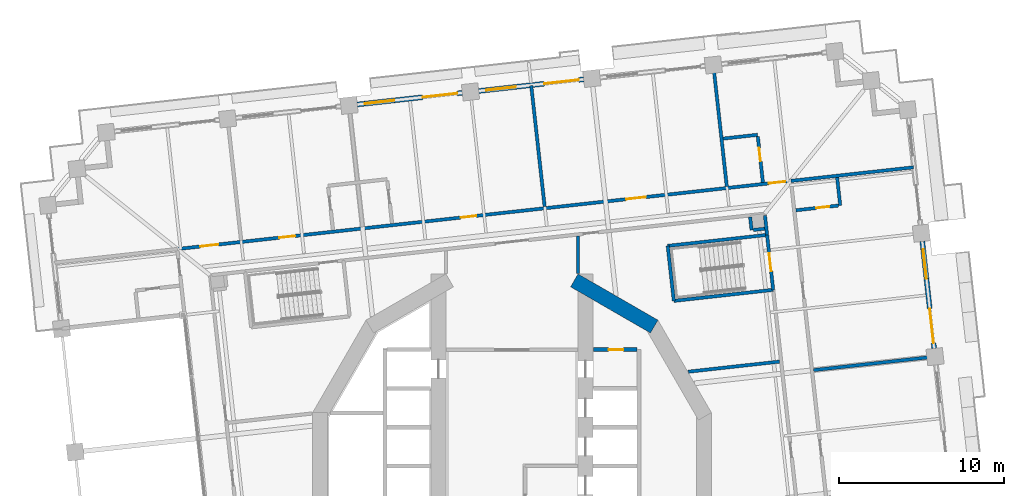
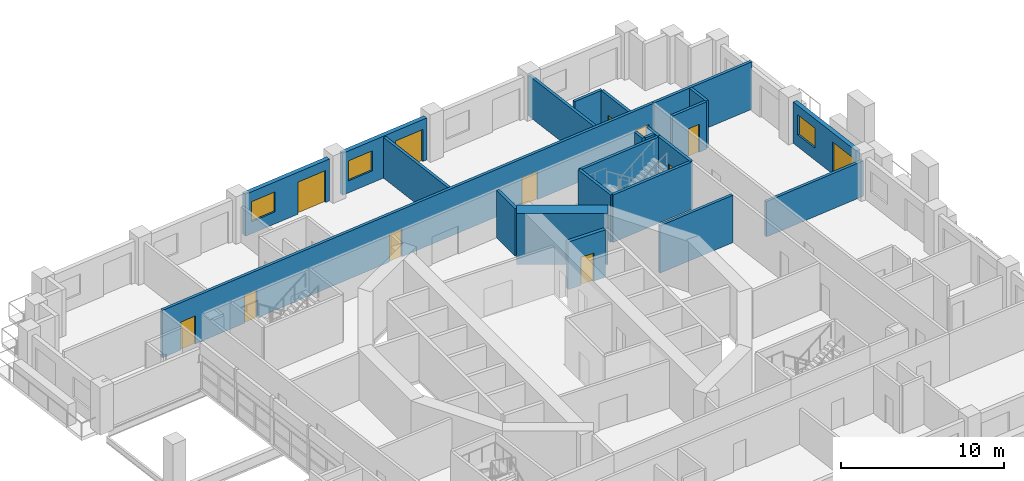
# One storey, part 12 of 21: 23 walls, 12 doors, 3 windows, 15 openings.
"""IFC4 building model written with IfcOpenShell, lengths in metres."""

from ifc_helpers import new_model, si_unit, direction, frame, frame_2d, origin, place, context, subcontext, project, spatial, rectangle, extrude, material, layer, layer_set, type_object, element, fill, save


model = new_model("IFC4")

# Units and contexts
model_context = context("Model", 3, precision=1e-05, world=origin(), true_north=direction((0.0, 1.0)))
body_context = subcontext(model_context, "Body", "Model", "MODEL_VIEW")
ifc_project = project(units=[si_unit("LENGTHUNIT", "METRE"), si_unit("AREAUNIT", "SQUARE_METRE"), si_unit("VOLUMEUNIT", "CUBIC_METRE"), si_unit("PLANEANGLEUNIT", "RADIAN"), si_unit("MASSUNIT", "GRAM", prefix="KILO")], contexts=[model_context])

# Site, building, storey
site_placement = place(None, origin())
site = spatial("IfcSite", under=ifc_project, at=site_placement, CompositionType="ELEMENT")
building_placement = place(site_placement, origin())
building = spatial("IfcBuilding", under=site, at=building_placement, Name="Cantera Rosa Tower", CompositionType="ELEMENT")
storey_placement = place(building_placement, frame((0.0, 0.0, 72.89990234375)))
storey = spatial("IfcBuildingStorey", under=building, at=storey_placement, Name="L15", CompositionType="ELEMENT", Elevation=72.89990234375)

# Walls
ifc_material_1 = material(Name="Gypsum board partition")
ifc_layer_1 = layer(ifc_material_1, 0.199951171875)
ifc_layer_set_1 = layer_set([ifc_layer_1], Name="CORRIDOR WALL 200 H3550")
wall_type_1 = type_object("IfcWallType", Name="CORRIDOR WALL 200 H3550", PredefinedType="PARTITIONING", material=ifc_layer_set_1)
wall_1_placement = place(storey_placement, frame((4.0, 11.667236328125, 0.0), z_axis=(0.0, 0.0, 1.0), x_axis=(0.0, 1.0, 0.0)))
element("IfcWall", 1, at=wall_1_placement, inside=storey, type_object=wall_type_1, Name="CORRIDOR WALL L15-064", PredefinedType="PARTITIONING", context=body_context, shape_type="SweptSolid", body=[
    extrude(rectangle(XDim=2.259765625, YDim=0.199951171875, at=frame_2d((1.1298828125, 0.0))), origin(), (0.0, 0.0, 1.0), 3.550048828125),
])
wall_2_placement = place(storey_placement, frame((15.44970703125, 14.001708984375, 0.0), z_axis=(0.0, 0.0, 1.0), x_axis=(-0.110341316069, 0.993893753863, 0.0)))
element("IfcWall", 2, at=wall_2_placement, inside=storey, type_object=wall_type_1, Name="CORRIDOR WALL L15-091", PredefinedType="PARTITIONING", context=body_context, shape_type="SweptSolid", body=[
    extrude(rectangle(XDim=1.188232421875, YDim=0.199951171875, at=frame_2d((0.59423828125, 0.0))), origin(), (0.0, 0.0, 1.0), 3.550048828125),
])

# Wall, openings, doors
wall_3_placement = place(storey_placement, frame((16.898193359375, 17.26953125, 0.0), z_axis=(0.0, 0.0, 1.0), x_axis=(-0.993896862852, -0.11031330841, 0.0)))
wall_3 = element("IfcWall", 3, at=wall_3_placement, inside=storey, type_object=wall_type_1, Name="CORRIDOR WALL L15-095", PredefinedType="PARTITIONING", context=body_context, shape_type="SweptSolid", body=[
    extrude(rectangle(XDim=37.400146484375, YDim=0.199951171875, at=frame_2d((18.7001953125, 0.0))), origin(), (0.0, 0.0, 1.0), 3.550048828125),
])
opening_1_placement = place(wall_3_placement, frame((8.85009765625, 0.0, 0.0)))
opening_1 = element("IfcOpeningElement", 4, at=opening_1_placement, cuts=wall_3, Name="Opening L15-025", PredefinedType="OPENING", context=body_context, shape_type="SweptSolid", body=[
    extrude(rectangle(XDim=1.199951171875, YDim=2.10009765625, at=frame_2d((0.60009765625, 1.050048828125))), frame((0.0, 0.10986328125, 0.0), z_axis=(0.0, -1.0, 0.0), x_axis=(1.0, 0.0, 0.0)), (0.0, 0.0, 1.0), 0.219970703125),
])
opening_2_placement = place(wall_3_placement, frame((19.175048828125, 0.0, 0.0)))
opening_2 = element("IfcOpeningElement", 5, at=opening_2_placement, cuts=wall_3, Name="Opening L15-026", PredefinedType="OPENING", context=body_context, shape_type="SweptSolid", body=[
    extrude(rectangle(XDim=0.949951171875, YDim=2.10009765625, at=frame_2d((0.47509765625, 1.050048828125))), frame((0.0, 0.10986328125, 0.0), z_axis=(0.0, -1.0, 0.0), x_axis=(1.0, 0.0, 0.0)), (0.0, 0.0, 1.0), 0.219970703125),
])
opening_3_placement = place(wall_3_placement, frame((30.22509765625, 0.0, 0.0)))
opening_3 = element("IfcOpeningElement", 6, at=opening_3_placement, cuts=wall_3, Name="Opening L15-028", PredefinedType="OPENING", context=body_context, shape_type="SweptSolid", body=[
    extrude(rectangle(XDim=0.949951171875, YDim=2.10009765625, at=frame_2d((0.47509765625, 1.050048828125))), frame((0.0, 0.10986328125, 0.0), z_axis=(0.0, -1.0, 0.0), x_axis=(1.0, 0.0, 0.0)), (0.0, 0.0, 1.0), 0.219970703125),
])
opening_4_placement = place(wall_3_placement, frame((0.35009765625, 0.0, 0.0)))
opening_4 = element("IfcOpeningElement", 7, at=opening_4_placement, cuts=wall_3, Name="Opening L15-030", PredefinedType="OPENING", context=body_context, shape_type="SweptSolid", body=[
    extrude(rectangle(XDim=1.0, YDim=2.10009765625, at=frame_2d((0.5, 1.050048828125))), frame((0.0, 0.10986328125, 0.0), z_axis=(0.0, -1.0, 0.0), x_axis=(1.0, 0.0, 0.0)), (0.0, 0.0, 1.0), 0.219970703125),
])
opening_5_placement = place(wall_3_placement, frame((34.89990234375, 0.0, 0.0)))
opening_5 = element("IfcOpeningElement", 8, at=opening_5_placement, cuts=wall_3, Name="Opening L15-032", PredefinedType="OPENING", context=body_context, shape_type="SweptSolid", body=[
    extrude(rectangle(XDim=1.10009765625, YDim=2.10009765625, at=frame_2d((0.550048828125, 1.050048828125))), frame((0.0, 0.10986328125, 0.0), z_axis=(0.0, -1.0, 0.0), x_axis=(1.0, 0.0, 0.0)), (0.0, 0.0, 1.0), 0.219970703125),
])
ifc_material_2 = material(Name="Timber door leaf", Category="wood")
door_type_1 = type_object("IfcDoorType", Name="ENTRANCE DOOR 1000x2100", OperationType="NOTDEFINED", PredefinedType="DOOR", material=ifc_material_2)
door_1_placement = place(opening_4_placement, origin())
door_1 = element("IfcDoor", 9, at=door_1_placement, inside=storey, type_object=door_type_1, Name="DOOR L15-030", OperationType="NOTDEFINED", OverallHeight=2.10009765625, OverallWidth=1.0, PredefinedType="DOOR", context=body_context, shape_type="SweptSolid", body=[
    extrude(rectangle(XDim=1.0, YDim=2.10009765625, at=frame_2d((0.5, 1.050048828125))), frame((0.0, 0.02490234375, 0.0), z_axis=(0.0, -1.0, 0.0), x_axis=(1.0, 0.0, 0.0)), (0.0, 0.0, 1.0), 0.050048828125),
])
fill(opening_4, door_1)
ifc_material_3 = material(Name="Timber door leaf", Category="wood")
door_type_2 = type_object("IfcDoorType", Name="ROOM DOOR 1100x2100", OperationType="NOTDEFINED", PredefinedType="DOOR", material=ifc_material_3)
door_2_placement = place(opening_5_placement, origin())
door_2 = element("IfcDoor", 10, at=door_2_placement, inside=storey, type_object=door_type_2, Name="DOOR L15-032", OperationType="NOTDEFINED", OverallHeight=2.10009765625, OverallWidth=1.10009765625, PredefinedType="DOOR", context=body_context, shape_type="SweptSolid", body=[
    extrude(rectangle(XDim=1.10009765625, YDim=2.10009765625, at=frame_2d((0.550048828125, 1.050048828125))), frame((0.0, 0.02490234375, 0.0), z_axis=(0.0, -1.0, 0.0), x_axis=(1.0, 0.0, 0.0)), (0.0, 0.0, 1.0), 0.050048828125),
])
fill(opening_5, door_2)
ifc_material_4 = material(Name="Timber door leaf", Category="wood")
door_type_3 = type_object("IfcDoorType", Name="ROOM DOOR 1200x2100", OperationType="NOTDEFINED", PredefinedType="DOOR", material=ifc_material_4)
door_3_placement = place(opening_1_placement, origin())
door_3 = element("IfcDoor", 11, at=door_3_placement, inside=storey, type_object=door_type_3, Name="DOOR L15-025", OperationType="NOTDEFINED", OverallHeight=2.10009765625, OverallWidth=1.199951171875, PredefinedType="DOOR", context=body_context, shape_type="SweptSolid", body=[
    extrude(rectangle(XDim=1.199951171875, YDim=2.10009765625, at=frame_2d((0.60009765625, 1.050048828125))), frame((0.0, 0.02490234375, 0.0), z_axis=(0.0, -1.0, 0.0), x_axis=(1.0, 0.0, 0.0)), (0.0, 0.0, 1.0), 0.050048828125),
])
fill(opening_1, door_3)
ifc_material_5 = material(Name="Timber door leaf", Category="wood")
door_type_4 = type_object("IfcDoorType", Name="ROOM DOOR 950x2100", OperationType="NOTDEFINED", PredefinedType="DOOR", material=ifc_material_5)
door_4_placement = place(opening_2_placement, origin())
door_4 = element("IfcDoor", 12, at=door_4_placement, inside=storey, type_object=door_type_4, Name="DOOR L15-026", OperationType="NOTDEFINED", OverallHeight=2.10009765625, OverallWidth=0.949951171875, PredefinedType="DOOR", context=body_context, shape_type="SweptSolid", body=[
    extrude(rectangle(XDim=0.949951171875, YDim=2.10009765625, at=frame_2d((0.47509765625, 1.050048828125))), frame((0.0, 0.02490234375, 0.0), z_axis=(0.0, -1.0, 0.0), x_axis=(1.0, 0.0, 0.0)), (0.0, 0.0, 1.0), 0.050048828125),
])
fill(opening_2, door_4)
door_5_placement = place(opening_3_placement, origin())
door_5 = element("IfcDoor", 13, at=door_5_placement, inside=storey, type_object=door_type_4, Name="DOOR L15-028", OperationType="NOTDEFINED", OverallHeight=2.10009765625, OverallWidth=0.949951171875, PredefinedType="DOOR", context=body_context, shape_type="SweptSolid", body=[
    extrude(rectangle(XDim=0.949951171875, YDim=2.10009765625, at=frame_2d((0.47509765625, 1.050048828125))), frame((0.0, 0.02490234375, 0.0), z_axis=(0.0, -1.0, 0.0), x_axis=(1.0, 0.0, 0.0)), (0.0, 0.0, 1.0), 0.050048828125),
])
fill(opening_3, door_5)

# Wall, openings, window, door
ifc_material_6 = material(Name="Hollow clay masonry with cantera stone cladding", Category="masonry")
ifc_layer_2 = layer(ifc_material_6, 0.300048828125)
ifc_layer_set_2 = layer_set([ifc_layer_2], Name="EW-LOGGIA 300 H3090")
wall_type_2 = type_object("IfcWallType", Name="EW-LOGGIA 300 H3090", PredefinedType="SOLIDWALL", material=ifc_layer_set_2)
wall_4_placement = place(storey_placement, frame((25.570068359375, 7.124267578125, 0.0), z_axis=(0.0, 0.0, 1.0), x_axis=(-0.110312341265, 0.993896970196, 0.0)))
wall_4 = element("IfcWall", 14, at=wall_4_placement, inside=storey, type_object=wall_type_2, Name="EN-L15-W04", PredefinedType="SOLIDWALL", context=body_context, shape_type="SweptSolid", body=[
    extrude(rectangle(XDim=6.52001953125, YDim=0.300048828125, at=frame_2d((3.260009765625, 0.0))), origin(), (0.0, 0.0, 1.0), 3.090087890625),
])
opening_6_placement = place(wall_4_placement, frame((0.330078125, 0.0, 0.0)))
opening_6 = element("IfcOpeningElement", 15, at=opening_6_placement, cuts=wall_4, Name="Opening L15-TD07", PredefinedType="OPENING", context=body_context, shape_type="SweptSolid", body=[
    extrude(rectangle(XDim=2.10009765625, YDim=2.39990234375, at=frame_2d((1.050048828125, 1.199951171875))), frame((0.0, 0.159912109375, 0.0), z_axis=(0.0, -1.0, 0.0), x_axis=(1.0, 0.0, 0.0)), (0.0, 0.0, 1.0), 0.320068359375),
])
opening_7_placement = place(wall_4_placement, frame((4.239990234375, 0.0, 0.89990234375)))
opening_7 = element("IfcOpeningElement", 16, at=opening_7_placement, cuts=wall_4, Name="Opening L15-W08", PredefinedType="OPENING", context=body_context, shape_type="SweptSolid", body=[
    extrude(rectangle(XDim=1.800048828125, YDim=1.5, at=frame_2d((0.89990234375, 0.75))), frame((0.0, 0.159912109375, 0.0), z_axis=(0.0, -1.0, 0.0), x_axis=(1.0, 0.0, 0.0)), (0.0, 0.0, 1.0), 0.320068359375),
])
ifc_material_7 = material(Name="Aluminium frame with clear glass", Category="aluminium")
window_type = type_object("IfcWindowType", Name="Hotel room window 1800x1500", PartitioningType="DOUBLE_PANEL_VERTICAL", PredefinedType="WINDOW", material=ifc_material_7)
window_1_placement = place(opening_7_placement, origin())
window_1 = element("IfcWindow", 17, at=window_1_placement, inside=storey, type_object=window_type, Name="WINDOW L15-W08", OverallHeight=1.5, OverallWidth=1.800048828125, PartitioningType="SINGLE_PANEL", PredefinedType="WINDOW", context=body_context, shape_type="SweptSolid", body=[
    extrude(rectangle(XDim=1.800048828125, YDim=1.5, at=frame_2d((0.89990234375, 0.75))), frame((0.0, 0.030029296875, 0.0), z_axis=(0.0, -1.0, 0.0), x_axis=(1.0, 0.0, 0.0)), (0.0, 0.0, 1.0), 0.06005859375),
])
fill(opening_7, window_1)
ifc_material_8 = material(Name="Aluminium frame with clear glass", Category="aluminium")
door_type_5 = type_object("IfcDoorType", Name="TD-H 2100x2400", OperationType="NOTDEFINED", PredefinedType="DOOR", material=ifc_material_8)
door_6_placement = place(opening_6_placement, origin())
door_6 = element("IfcDoor", 18, at=door_6_placement, inside=storey, type_object=door_type_5, Name="LOGGIA DOOR L15-TD07", OperationType="SLIDING_TO_LEFT", OverallHeight=2.39990234375, OverallWidth=2.10009765625, PredefinedType="DOOR", context=body_context, shape_type="SweptSolid", body=[
    extrude(rectangle(XDim=2.10009765625, YDim=2.39990234375, at=frame_2d((1.050048828125, 1.199951171875))), frame((0.0, 0.02490234375, 0.0), z_axis=(0.0, -1.0, 0.0), x_axis=(1.0, 0.0, 0.0)), (0.0, 0.0, 1.0), 0.050048828125),
])
fill(opening_6, door_6)

ifc_material_9 = material(Name="Hollow clay masonry with cantera stone cladding", Category="masonry")
ifc_layer_3 = layer(ifc_material_9, 0.300048828125)
ifc_layer_set_3 = layer_set([ifc_layer_3], Name="EW-LOGGIA 300 H3140")
wall_type_3 = type_object("IfcWallType", Name="EW-LOGGIA 300 H3140", PredefinedType="SOLIDWALL", material=ifc_layer_set_3)
wall_5_placement = place(storey_placement, frame((4.3427734375, 23.422119140625, 0.0), z_axis=(0.0, 0.0, 1.0), x_axis=(-0.993895824271, -0.110322665379, 0.0)))
wall_5 = element("IfcWall", 19, at=wall_5_placement, inside=storey, type_object=wall_type_3, Name="EN-L15-W10", PredefinedType="SOLIDWALL", context=body_context, shape_type="SweptSolid", body=[
    extrude(rectangle(XDim=6.39990234375, YDim=0.300048828125, at=frame_2d((3.199951171875, 0.0))), origin(), (0.0, 0.0, 1.0), 3.14013671875),
])
opening_8_placement = place(wall_5_placement, frame((0.300048828125, 0.0, 0.0)))
opening_8 = element("IfcOpeningElement", 20, at=opening_8_placement, cuts=wall_5, Name="Opening L15-TD15", PredefinedType="OPENING", context=body_context, shape_type="SweptSolid", body=[
    extrude(rectangle(XDim=2.10009765625, YDim=2.39990234375, at=frame_2d((1.050048828125, 1.199951171875))), frame((0.0, 0.159912109375, 0.0), z_axis=(0.0, -1.0, 0.0), x_axis=(1.0, 0.0, 0.0)), (0.0, 0.0, 1.0), 0.320068359375),
])
opening_9_placement = place(wall_5_placement, frame((4.14990234375, 0.0, 0.89990234375)))
opening_9 = element("IfcOpeningElement", 21, at=opening_9_placement, cuts=wall_5, Name="Opening L15-W16", PredefinedType="OPENING", context=body_context, shape_type="SweptSolid", body=[
    extrude(rectangle(XDim=1.800048828125, YDim=1.5, at=frame_2d((0.89990234375, 0.75))), frame((0.0, 0.159912109375, 0.0), z_axis=(0.0, -1.0, 0.0), x_axis=(1.0, 0.0, 0.0)), (0.0, 0.0, 1.0), 0.320068359375),
])
window_2_placement = place(opening_9_placement, origin())
window_2 = element("IfcWindow", 22, at=window_2_placement, inside=storey, type_object=window_type, Name="WINDOW L15-W16", OverallHeight=1.5, OverallWidth=1.800048828125, PartitioningType="SINGLE_PANEL", PredefinedType="WINDOW", context=body_context, shape_type="SweptSolid", body=[
    extrude(rectangle(XDim=1.800048828125, YDim=1.5, at=frame_2d((0.89990234375, 0.75))), frame((0.0, 0.030029296875, 0.0), z_axis=(0.0, -1.0, 0.0), x_axis=(1.0, 0.0, 0.0)), (0.0, 0.0, 1.0), 0.06005859375),
])
fill(opening_9, window_2)
door_7_placement = place(opening_8_placement, origin())
door_7 = element("IfcDoor", 23, at=door_7_placement, inside=storey, type_object=door_type_5, Name="LOGGIA DOOR L15-TD15", OperationType="SLIDING_TO_LEFT", OverallHeight=2.39990234375, OverallWidth=2.10009765625, PredefinedType="DOOR", context=body_context, shape_type="SweptSolid", body=[
    extrude(rectangle(XDim=2.10009765625, YDim=2.39990234375, at=frame_2d((1.050048828125, 1.199951171875))), frame((0.0, 0.02490234375, 0.0), z_axis=(0.0, -1.0, 0.0), x_axis=(1.0, 0.0, 0.0)), (0.0, 0.0, 1.0), 0.050048828125),
])
fill(opening_8, door_7)

wall_6_placement = place(storey_placement, frame((-3.011962890625, 22.605712890625, 0.0), z_axis=(0.0, 0.0, 1.0), x_axis=(-0.993896288542, -0.110318482689, 0.0)))
wall_6 = element("IfcWall", 24, at=wall_6_placement, inside=storey, type_object=wall_type_3, Name="EN-L15-W11", PredefinedType="SOLIDWALL", context=body_context, shape_type="SweptSolid", body=[
    extrude(rectangle(XDim=6.400146484375, YDim=0.300048828125, at=frame_2d((3.2001953125, 0.0))), origin(), (0.0, 0.0, 1.0), 3.14013671875),
])
opening_10_placement = place(wall_6_placement, frame((0.300048828125, 0.0, 0.0)))
opening_10 = element("IfcOpeningElement", 25, at=opening_10_placement, cuts=wall_6, Name="Opening L15-TD17", PredefinedType="OPENING", context=body_context, shape_type="SweptSolid", body=[
    extrude(rectangle(XDim=2.10009765625, YDim=2.39990234375, at=frame_2d((1.050048828125, 1.199951171875))), frame((0.0, 0.159912109375, 0.0), z_axis=(0.0, -1.0, 0.0), x_axis=(1.0, 0.0, 0.0)), (0.0, 0.0, 1.0), 0.320068359375),
])
opening_11_placement = place(wall_6_placement, frame((4.14990234375, 0.0, 0.89990234375)))
opening_11 = element("IfcOpeningElement", 26, at=opening_11_placement, cuts=wall_6, Name="Opening L15-W18", PredefinedType="OPENING", context=body_context, shape_type="SweptSolid", body=[
    extrude(rectangle(XDim=1.800048828125, YDim=1.5, at=frame_2d((0.89990234375, 0.75))), frame((0.0, 0.159912109375, 0.0), z_axis=(0.0, -1.0, 0.0), x_axis=(1.0, 0.0, 0.0)), (0.0, 0.0, 1.0), 0.320068359375),
])
window_3_placement = place(opening_11_placement, origin())
window_3 = element("IfcWindow", 27, at=window_3_placement, inside=storey, type_object=window_type, Name="WINDOW L15-W18", OverallHeight=1.5, OverallWidth=1.800048828125, PartitioningType="SINGLE_PANEL", PredefinedType="WINDOW", context=body_context, shape_type="SweptSolid", body=[
    extrude(rectangle(XDim=1.800048828125, YDim=1.5, at=frame_2d((0.89990234375, 0.75))), frame((0.0, 0.030029296875, 0.0), z_axis=(0.0, -1.0, 0.0), x_axis=(1.0, 0.0, 0.0)), (0.0, 0.0, 1.0), 0.06005859375),
])
fill(opening_11, window_3)
door_8_placement = place(opening_10_placement, origin())
door_8 = element("IfcDoor", 28, at=door_8_placement, inside=storey, type_object=door_type_5, Name="LOGGIA DOOR L15-TD17", OperationType="SLIDING_TO_LEFT", OverallHeight=2.39990234375, OverallWidth=2.10009765625, PredefinedType="DOOR", context=body_context, shape_type="SweptSolid", body=[
    extrude(rectangle(XDim=2.10009765625, YDim=2.39990234375, at=frame_2d((1.050048828125, 1.199951171875))), frame((0.0, 0.02490234375, 0.0), z_axis=(0.0, -1.0, 0.0), x_axis=(1.0, 0.0, 0.0)), (0.0, 0.0, 1.0), 0.050048828125),
])
fill(opening_10, door_8)

# Walls
ifc_material_10 = material(Name="Gypsum board partition")
ifc_layer_4 = layer(ifc_material_10, 0.199951171875)
ifc_layer_set_4 = layer_set([ifc_layer_4], Name="PARTITION 200 H3550")
wall_type_4 = type_object("IfcWallType", Name="PARTITION 200 H3550", PredefinedType="PARTITIONING", material=ifc_layer_set_4)
wall_7_placement = place(storey_placement, frame((10.67822265625, 5.712890625, 0.0), z_axis=(0.0, 0.0, 1.0), x_axis=(0.993900868117, 0.110277215939, 0.0)))
element("IfcWall", 29, at=wall_7_placement, inside=storey, type_object=wall_type_4, Name="PARTITION L15-079", PredefinedType="PARTITIONING", context=body_context, shape_type="SweptSolid", body=[
    extrude(rectangle(XDim=5.556884765625, YDim=0.199951171875, at=frame_2d((2.7783203125, 0.0))), origin(), (0.0, 0.0, 1.0), 3.550048828125),
])
wall_8_placement = place(storey_placement, frame((12.790283203125, 19.83203125, 0.0), z_axis=(0.0, 0.0, 1.0), x_axis=(0.993895071737, 0.11032944474, 0.0)))
element("IfcWall", 30, at=wall_8_placement, inside=storey, type_object=wall_type_4, Name="PARTITION L15-081", PredefinedType="PARTITIONING", context=body_context, shape_type="SweptSolid", body=[
    extrude(rectangle(XDim=2.10009765625, YDim=0.199951171875, at=frame_2d((1.050048828125, 0.0))), origin(), (0.0, 0.0, 1.0), 3.550048828125),
])
wall_9_placement = place(storey_placement, frame((14.42431640625, 15.083251953125, 0.0), z_axis=(0.0, 0.0, 1.0), x_axis=(0.110163574714, -0.993913470482, 0.0)))
element("IfcWall", 31, at=wall_9_placement, inside=storey, type_object=wall_type_4, Name="PARTITION L15-082", PredefinedType="PARTITIONING", context=body_context, shape_type="SweptSolid", body=[
    extrude(rectangle(XDim=0.800048828125, YDim=0.199951171875, at=frame_2d((0.39990234375, 0.0))), origin(), (0.0, 0.0, 1.0), 3.550048828125),
])
wall_10_placement = place(storey_placement, frame((14.61181640625, 14.299072265625, 0.0), z_axis=(0.0, 0.0, 1.0), x_axis=(0.993870969748, 0.110546349969, 0.0)))
element("IfcWall", 32, at=wall_10_placement, inside=storey, type_object=wall_type_4, Name="PARTITION L15-083", PredefinedType="PARTITIONING", context=body_context, shape_type="SweptSolid", body=[
    extrude(rectangle(XDim=0.7001953125, YDim=0.199951171875, at=frame_2d((0.35009765625, 0.0))), origin(), (0.0, 0.0, 1.0), 3.550048828125),
])

# Wall, opening, door
wall_11_placement = place(storey_placement, frame((14.888671875, 19.964111328125, 0.0), z_axis=(0.0, 0.0, 1.0), x_axis=(0.110307106705, -0.993897551164, 0.0)))
wall_11 = element("IfcWall", 33, at=wall_11_placement, inside=storey, type_object=wall_type_4, Name="PARTITION L15-084", PredefinedType="PARTITIONING", context=body_context, shape_type="SweptSolid", body=[
    extrude(rectangle(XDim=2.7998046875, YDim=0.199951171875, at=frame_2d((1.39990234375, 0.0))), origin(), (0.0, 0.0, 1.0), 3.550048828125),
])
opening_12_placement = place(wall_11_placement, frame((0.699951171875, 0.0, 0.0)))
opening_12 = element("IfcOpeningElement", 34, at=opening_12_placement, cuts=wall_11, Name="Opening L15-031", PredefinedType="OPENING", context=body_context, shape_type="SweptSolid", body=[
    extrude(rectangle(XDim=0.800048828125, YDim=2.10009765625, at=frame_2d((0.39990234375, 1.050048828125))), frame((0.0, 0.10986328125, 0.0), z_axis=(0.0, -1.0, 0.0), x_axis=(1.0, 0.0, 0.0)), (0.0, 0.0, 1.0), 0.219970703125),
])
ifc_material_11 = material(Name="Timber door leaf", Category="wood")
door_type_6 = type_object("IfcDoorType", Name="BATHROOM DOOR 800x2100", OperationType="NOTDEFINED", PredefinedType="DOOR", material=ifc_material_11)
door_9_placement = place(opening_12_placement, origin())
door_9 = element("IfcDoor", 35, at=door_9_placement, inside=storey, type_object=door_type_6, Name="DOOR L15-031", OperationType="NOTDEFINED", OverallHeight=2.10009765625, OverallWidth=0.800048828125, PredefinedType="DOOR", context=body_context, shape_type="SweptSolid", body=[
    extrude(rectangle(XDim=0.800048828125, YDim=2.10009765625, at=frame_2d((0.39990234375, 1.050048828125))), frame((0.0, 0.02490234375, 0.0), z_axis=(0.0, -1.0, 0.0), x_axis=(1.0, 0.0, 0.0)), (0.0, 0.0, 1.0), 0.050048828125),
])
fill(opening_12, door_9)

# Wall
wall_12_placement = place(storey_placement, frame((19.69189453125, 17.47900390625, 0.0), z_axis=(0.0, 0.0, 1.0), x_axis=(0.110431526075, -0.993883734674, 0.0)))
element("IfcWall", 36, at=wall_12_placement, inside=storey, type_object=wall_type_4, Name="PARTITION L15-104", PredefinedType="PARTITIONING", context=body_context, shape_type="SweptSolid", body=[
    extrude(rectangle(XDim=1.7001953125, YDim=0.199951171875, at=frame_2d((0.85009765625, 0.0))), origin(), (0.0, 0.0, 1.0), 3.550048828125),
])

# Wall, opening, door
wall_13_placement = place(storey_placement, frame((19.7802734375, 15.7783203125, 0.0), z_axis=(0.0, 0.0, 1.0), x_axis=(-0.993895180132, -0.110328468272, 0.0)))
wall_13 = element("IfcWall", 37, at=wall_13_placement, inside=storey, type_object=wall_type_4, Name="PARTITION L15-105", PredefinedType="PARTITIONING", context=body_context, shape_type="SweptSolid", body=[
    extrude(rectangle(XDim=2.60009765625, YDim=0.199951171875, at=frame_2d((1.300048828125, 0.0))), origin(), (0.0, 0.0, 1.0), 3.550048828125),
])
opening_13_placement = place(wall_13_placement, frame((0.56396484375, 0.0, 0.0)))
opening_13 = element("IfcOpeningElement", 38, at=opening_13_placement, cuts=wall_13, Name="Opening L15-024", PredefinedType="OPENING", context=body_context, shape_type="SweptSolid", body=[
    extrude(rectangle(XDim=0.800048828125, YDim=2.10009765625, at=frame_2d((0.39990234375, 1.050048828125))), frame((0.0, 0.10986328125, 0.0), z_axis=(0.0, -1.0, 0.0), x_axis=(1.0, 0.0, 0.0)), (0.0, 0.0, 1.0), 0.219970703125),
])
door_10_placement = place(opening_13_placement, origin())
door_10 = element("IfcDoor", 39, at=door_10_placement, inside=storey, type_object=door_type_6, Name="DOOR L15-024", OperationType="NOTDEFINED", OverallHeight=2.10009765625, OverallWidth=0.800048828125, PredefinedType="DOOR", context=body_context, shape_type="SweptSolid", body=[
    extrude(rectangle(XDim=0.800048828125, YDim=2.10009765625, at=frame_2d((0.39990234375, 1.050048828125))), frame((0.0, 0.02490234375, 0.0), z_axis=(0.0, -1.0, 0.0), x_axis=(1.0, 0.0, 0.0)), (0.0, 0.0, 1.0), 0.050048828125),
])
fill(opening_13, door_10)

# Walls
ifc_material_12 = material(Name="Gypsum board partition")
ifc_layer_5 = layer(ifc_material_12, 0.199951171875)
ifc_layer_set_5 = layer_set([ifc_layer_5], Name="PARTY WALL 200 H2650")
wall_type_5 = type_object("IfcWallType", Name="PARTY WALL 200 H2650", PredefinedType="PARTITIONING", material=ifc_layer_set_5)
wall_14_placement = place(storey_placement, frame((18.2705078125, 5.810791015625, 0.0), z_axis=(0.0, 0.0, 1.0), x_axis=(0.993897058864, 0.11031154238, 0.0)))
element("IfcWall", 40, at=wall_14_placement, inside=storey, type_object=wall_type_5, Name="PARTY WALL L15-099", PredefinedType="PARTITIONING", context=body_context, shape_type="SweptSolid", body=[
    extrude(rectangle(XDim=7.369873046875, YDim=0.199951171875, at=frame_2d((3.68505859375, 0.0))), origin(), (0.0, 0.0, 1.0), 2.650146484375),
])
ifc_material_13 = material(Name="Gypsum board partition")
ifc_layer_6 = layer(ifc_material_13, 0.199951171875)
ifc_layer_set_6 = layer_set([ifc_layer_6], Name="PARTY WALL 200 H3050")
wall_type_6 = type_object("IfcWallType", Name="PARTY WALL 200 H3050", PredefinedType="PARTITIONING", material=ifc_layer_set_6)
wall_15_placement = place(storey_placement, frame((1.978515625, 15.714111328125, 0.0), z_axis=(0.0, 0.0, 1.0), x_axis=(-0.110307910555, 0.993897461949, 0.0)))
element("IfcWall", 41, at=wall_15_placement, inside=storey, type_object=wall_type_6, Name="PARTY WALL L15-060", PredefinedType="PARTITIONING", context=body_context, shape_type="SweptSolid", body=[
    extrude(rectangle(XDim=7.3701171875, YDim=0.199951171875, at=frame_2d((3.68505859375, 0.0))), origin(), (0.0, 0.0, 1.0), 3.050048828125),
])
wall_16_placement = place(storey_placement, frame((12.197998046875, 24.263671875, 0.0), z_axis=(0.0, 0.0, 1.0), x_axis=(0.11031154238, -0.993897058864, 0.0)))
element("IfcWall", 42, at=wall_16_placement, inside=storey, type_object=wall_type_6, Name="PARTY WALL L15-080", PredefinedType="PARTITIONING", context=body_context, shape_type="SweptSolid", body=[
    extrude(rectangle(XDim=7.369873046875, YDim=0.199951171875, at=frame_2d((3.68505859375, 0.0))), origin(), (0.0, 0.0, 1.0), 3.050048828125),
])
ifc_material_14 = material(Name="Gypsum board partition")
ifc_layer_7 = layer(ifc_material_14, 0.199951171875)
ifc_layer_set_7 = layer_set([ifc_layer_7], Name="PARTY WALL 200 H3550")
wall_type_7 = type_object("IfcWallType", Name="PARTY WALL 200 H3550", PredefinedType="PARTITIONING", material=ifc_layer_set_7)
wall_17_placement = place(storey_placement, frame((16.898193359375, 17.26953125, 0.0), z_axis=(0.0, 0.0, 1.0), x_axis=(0.993897676912, 0.110305973679, 0.0)))
element("IfcWall", 43, at=wall_17_placement, inside=storey, type_object=wall_type_7, Name="PARTY WALL L15-096", PredefinedType="PARTITIONING", context=body_context, shape_type="SweptSolid", body=[
    extrude(rectangle(XDim=7.469970703125, YDim=0.199951171875, at=frame_2d((3.73486328125, 0.0))), origin(), (0.0, 0.0, 1.0), 3.550048828125),
])
ifc_material_15 = material(Name="Concrete C70/85", Category="concrete")
ifc_layer_8 = layer(ifc_material_15, 0.89990234375)
ifc_layer_set_8 = layer_set([ifc_layer_8], Name="RC CORE WALL 900 C70/85")
wall_type_8 = type_object("IfcWallType", Name="RC CORE WALL 900 C70/85", PredefinedType="SHEAR", material=ifc_layer_set_8)
wall_18_placement = place(storey_placement, frame((3.77490234375, 11.242919921875, 0.0), z_axis=(0.0, 0.0, 1.0), x_axis=(0.866026961591, -0.49999730179, 0.0)))
element("IfcWall", 44, at=wall_18_placement, inside=storey, type_object=wall_type_8, Name="CW-E1 L15", PredefinedType="SHEAR", context=body_context, shape_type="SweptSolid", body=[
    extrude(rectangle(XDim=5.58740234375, YDim=0.89990234375, at=frame_2d((2.793701171875, 0.0))), origin(), (0.0, 0.0, 1.0), 3.800048828125),
])

# Wall, opening, door
ifc_material_16 = material(Name="Masonry blockwork", Category="masonry")
ifc_layer_9 = layer(ifc_material_16, 0.25)
ifc_layer_set_9 = layer_set([ifc_layer_9], Name="SHAFT WALL 250 H3550")
wall_type_9 = type_object("IfcWallType", Name="SHAFT WALL 250 H3550", PredefinedType="SOLIDWALL", material=ifc_layer_set_9)
wall_19_placement = place(storey_placement, frame((7.580078125, 7.050048828125, 0.0), z_axis=(0.0, 0.0, 1.0), x_axis=(-1.0, 0.0, 0.0)))
wall_19 = element("IfcWall", 45, at=wall_19_placement, inside=storey, type_object=wall_type_9, Name="SHAFT WALL L15-073", PredefinedType="SOLIDWALL", context=body_context, shape_type="SweptSolid", body=[
    extrude(rectangle(XDim=2.650146484375, YDim=0.25, at=frame_2d((1.3251953125, 0.0))), origin(), (0.0, 0.0, 1.0), 3.550048828125),
])
opening_14_placement = place(wall_19_placement, frame((0.830078125, 0.0, 0.0)))
opening_14 = element("IfcOpeningElement", 46, at=opening_14_placement, cuts=wall_19, Name="Opening L15-046", PredefinedType="OPENING", context=body_context, shape_type="SweptSolid", body=[
    extrude(rectangle(XDim=0.89990234375, YDim=2.10009765625, at=frame_2d((0.449951171875, 1.050048828125))), frame((0.0, 0.135009765625, 0.0), z_axis=(0.0, -1.0, 0.0), x_axis=(1.0, 0.0, 0.0)), (0.0, 0.0, 1.0), 0.27001953125),
])
ifc_material_17 = material(Name="Timber door leaf", Category="wood")
door_type_7 = type_object("IfcDoorType", Name="SERVICE DOOR 900x2100", OperationType="NOTDEFINED", PredefinedType="DOOR", material=ifc_material_17)
door_11_placement = place(opening_14_placement, origin())
door_11 = element("IfcDoor", 47, at=door_11_placement, inside=storey, type_object=door_type_7, Name="RISER DOOR L15-046", OperationType="NOTDEFINED", OverallHeight=2.10009765625, OverallWidth=0.89990234375, PredefinedType="DOOR", context=body_context, shape_type="SweptSolid", body=[
    extrude(rectangle(XDim=0.89990234375, YDim=2.10009765625, at=frame_2d((0.449951171875, 1.050048828125))), frame((0.0, 0.02490234375, 0.0), z_axis=(0.0, -1.0, 0.0), x_axis=(1.0, 0.0, 0.0)), (0.0, 0.0, 1.0), 0.050048828125),
])
fill(opening_14, door_11)

# Walls
ifc_material_18 = material(Name="Concrete C50/60", Category="concrete")
ifc_layer_10 = layer(ifc_material_18, 0.199951171875)
ifc_layer_set_10 = layer_set([ifc_layer_10], Name="STAIR WALL 200 H3550")
wall_type_10 = type_object("IfcWallType", Name="STAIR WALL 200 H3550", PredefinedType="SOLIDWALL", material=ifc_layer_set_10)
wall_20_placement = place(storey_placement, frame((9.43359375, 13.333740234375, 0.0), z_axis=(0.0, 0.0, 1.0), x_axis=(0.11027153821, -0.993901498067, 0.0)))
element("IfcWall", 48, at=wall_20_placement, inside=storey, type_object=wall_type_10, Name="STAIR WALL L15-077", PredefinedType="SOLIDWALL", context=body_context, shape_type="SweptSolid", body=[
    extrude(rectangle(XDim=3.349853515625, YDim=0.199951171875, at=frame_2d((1.6748046875, 0.0))), origin(), (0.0, 0.0, 1.0), 3.550048828125),
])
wall_21_placement = place(storey_placement, frame((9.802978515625, 10.00439453125, 0.0), z_axis=(0.0, 0.0, 1.0), x_axis=(0.993897498792, 0.11030757859, 0.0)))
element("IfcWall", 49, at=wall_21_placement, inside=storey, type_object=wall_type_10, Name="STAIR WALL L15-078", PredefinedType="SOLIDWALL", context=body_context, shape_type="SweptSolid", body=[
    extrude(rectangle(XDim=6.05322265625, YDim=0.199951171875, at=frame_2d((3.026611328125, 0.0))), origin(), (0.0, 0.0, 1.0), 3.550048828125),
])
wall_22_placement = place(storey_placement, frame((15.44970703125, 14.001708984375, 0.0), z_axis=(0.0, 0.0, 1.0), x_axis=(-0.993892585125, -0.110351842907, 0.0)))
element("IfcWall", 50, at=wall_22_placement, inside=storey, type_object=wall_type_10, Name="STAIR WALL L15-090", PredefinedType="SOLIDWALL", context=body_context, shape_type="SweptSolid", body=[
    extrude(rectangle(XDim=6.052978515625, YDim=0.199951171875, at=frame_2d((3.0263671875, 0.0))), origin(), (0.0, 0.0, 1.0), 3.550048828125),
])

# Wall, opening, door
wall_23_placement = place(storey_placement, frame((15.8193359375, 10.672119140625, 0.0), z_axis=(0.0, 0.0, 1.0), x_axis=(-0.110335541424, 0.993894394943, 0.0)))
wall_23 = element("IfcWall", 51, at=wall_23_placement, inside=storey, type_object=wall_type_10, Name="STAIR WALL L15-092", PredefinedType="SOLIDWALL", context=body_context, shape_type="SweptSolid", body=[
    extrude(rectangle(XDim=3.35009765625, YDim=0.199951171875, at=frame_2d((1.675048828125, 0.0))), origin(), (0.0, 0.0, 1.0), 3.550048828125),
])
opening_15_placement = place(wall_23_placement, frame((1.125, 0.0, 0.0)))
opening_15 = element("IfcOpeningElement", 52, at=opening_15_placement, cuts=wall_23, Name="Opening L15-001", PredefinedType="OPENING", context=body_context, shape_type="SweptSolid", body=[
    extrude(rectangle(XDim=1.10009765625, YDim=2.10009765625, at=frame_2d((0.550048828125, 1.050048828125))), frame((0.0, 0.10986328125, 0.0), z_axis=(0.0, -1.0, 0.0), x_axis=(1.0, 0.0, 0.0)), (0.0, 0.0, 1.0), 0.219970703125),
])
ifc_material_19 = material(Name="Steel S355J2 (EN 10025-2)", Category="steel")
door_type_8 = type_object("IfcDoorType", Name="STAIR DOOR 1100x2100", OperationType="NOTDEFINED", PredefinedType="DOOR", material=ifc_material_19)
door_12_placement = place(opening_15_placement, origin())
door_12 = element("IfcDoor", 53, at=door_12_placement, inside=storey, type_object=door_type_8, Name="DOOR L15-001", OperationType="NOTDEFINED", OverallHeight=2.10009765625, OverallWidth=1.10009765625, PredefinedType="DOOR", context=body_context, shape_type="SweptSolid", body=[
    extrude(rectangle(XDim=1.10009765625, YDim=2.10009765625, at=frame_2d((0.550048828125, 1.050048828125))), frame((0.0, 0.02490234375, 0.0), z_axis=(0.0, -1.0, 0.0), x_axis=(1.0, 0.0, 0.0)), (0.0, 0.0, 1.0), 0.050048828125),
])
fill(opening_15, door_12)

save(model, "model.ifc")
